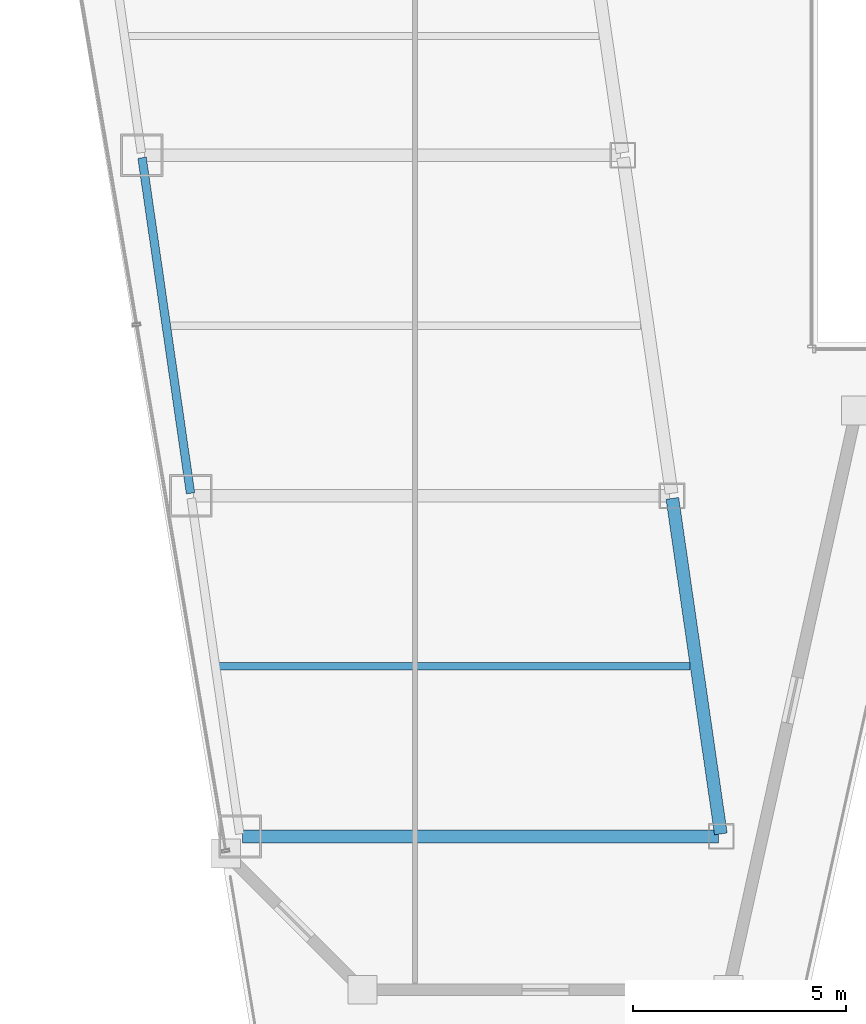
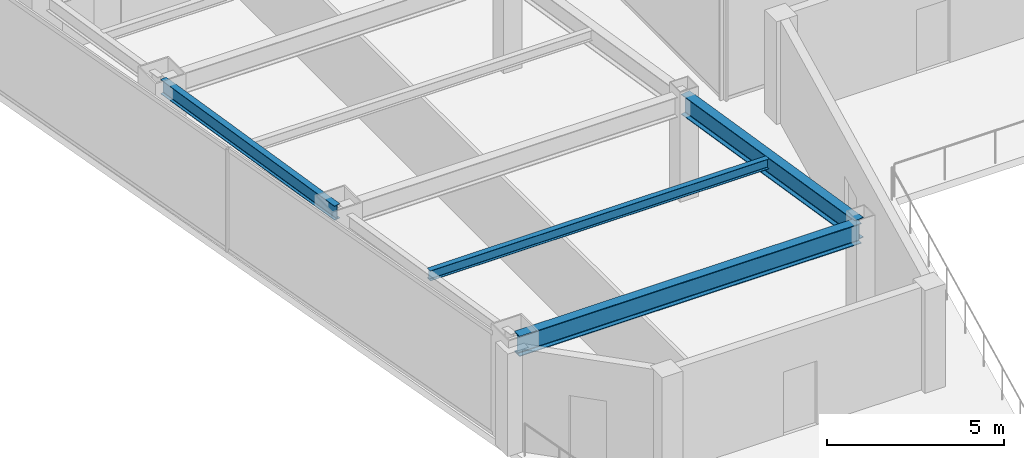
# One storey, part 3 of 31: 4 beams.
"""IFC4 building model written with IfcOpenShell, lengths in metres."""

from ifc_helpers import new_model, si_unit, direction, frame, origin, origin_2d, place, context, subcontext, project, spatial, i_section, extrude, material, material_profile, profile_set, type_object, element, save


model = new_model("IFC4")

# Units and contexts
model_context = context("Model", 3, precision=1e-05, world=origin(), true_north=direction((0.0, 1.0)))
body_context = subcontext(model_context, "Body", "Model", "MODEL_VIEW")
ifc_project = project(units=[si_unit("LENGTHUNIT", "METRE"), si_unit("AREAUNIT", "SQUARE_METRE"), si_unit("VOLUMEUNIT", "CUBIC_METRE"), si_unit("PLANEANGLEUNIT", "RADIAN"), si_unit("MASSUNIT", "GRAM", prefix="KILO")], contexts=[model_context])

# Site, building, storey
site_placement = place(None, origin())
site = spatial("IfcSite", under=ifc_project, at=site_placement, CompositionType="ELEMENT")
building_placement = place(site_placement, origin())
building = spatial("IfcBuilding", under=site, at=building_placement, Name="Saevonmaru Cultural Tower", CompositionType="ELEMENT")
storey_placement = place(building_placement, frame((0.0, 0.0, 167.60009765625)))
storey = spatial("IfcBuildingStorey", under=building, at=storey_placement, Name="L37", CompositionType="ELEMENT", Elevation=167.60009765625)

# Beams
ifc_material = material(Name="Steel SM355", Category="steel")
ifc_material_profile_1 = material_profile(ifc_material, i_section(OverallWidth=0.300048828125, OverallDepth=0.699951171875, WebThickness=0.012939453125, FlangeThickness=0.02392578125, FilletRadius=0.02587890625, at=origin_2d()), Name="H-700x300x13x24")
ifc_profile_set_1 = profile_set([ifc_material_profile_1], Name="Steel SM355")
beam_type_1 = type_object("IfcBeamType", Name="BM-G-H700", PredefinedType="BEAM", material=ifc_profile_set_1)
beam_1_placement = place(storey_placement, frame((21.91943359375, 16.059326171875, 3.199951171875), z_axis=(-0.143022161059, 0.989719486241, 0.0), x_axis=(-0.989719486241, -0.143022161059, 0.0)))
element("IfcBeam", 1, at=beam_1_placement, inside=storey, type_object=beam_type_1, Name="L37 West Atrium Girder 1", PredefinedType="BEAM", context=body_context, shape_type="SweptSolid", body=[
    extrude(i_section(OverallWidth=0.300048828125, OverallDepth=0.699951171875, WebThickness=0.012939453125, FlangeThickness=0.02392578125, FilletRadius=0.02587890625, at=origin_2d()), origin(), (0.0, 0.0, 1.0), 7.963134765625),
])
beam_2_placement = place(storey_placement, frame((10.68798828125, 16.0, 3.199951171875), z_axis=(1.0, 0.0, 0.0), x_axis=(0.0, 1.0, 0.0)))
element("IfcBeam", 2, at=beam_2_placement, inside=storey, type_object=beam_type_1, Name="L37 West Wing Transverse Girder 1", PredefinedType="BEAM", context=body_context, shape_type="SweptSolid", body=[
    extrude(i_section(OverallWidth=0.300048828125, OverallDepth=0.699951171875, WebThickness=0.012939453125, FlangeThickness=0.02392578125, FilletRadius=0.02587890625, at=origin_2d()), origin(), (0.0, 0.0, 1.0), 11.179931640625),
])
ifc_material_profile_2 = material_profile(ifc_material, i_section(OverallWidth=0.175048828125, OverallDepth=0.35009765625, WebThickness=0.007080078125, FlangeThickness=0.010986328125, FilletRadius=0.012939453125, at=origin_2d()), Name="H-350x175x7x11")
ifc_profile_set_2 = profile_set([ifc_material_profile_2], Name="Steel SM355")
beam_type_2 = type_object("IfcBeamType", Name="BM-J-H350", PredefinedType="JOIST", material=ifc_profile_set_2)
beam_3_placement = place(storey_placement, frame((10.110107421875, 20.0, 3.375), z_axis=(1.0, 0.0, 0.0), x_axis=(0.0, 1.0, 0.0)))
element("IfcBeam", 3, at=beam_3_placement, inside=storey, type_object=beam_type_2, Name="L37 West Wing Floor Joist 1", PredefinedType="JOIST", context=body_context, shape_type="SweptSolid", body=[
    extrude(i_section(OverallWidth=0.175048828125, OverallDepth=0.35009765625, WebThickness=0.007080078125, FlangeThickness=0.010986328125, FilletRadius=0.012939453125, at=origin_2d()), origin(), (0.0, 0.0, 1.0), 11.081787109375),
])
ifc_material_profile_3 = material_profile(ifc_material, i_section(OverallWidth=0.199951171875, OverallDepth=0.5, WebThickness=0.010009765625, FlangeThickness=0.01611328125, FilletRadius=0.02001953125, at=origin_2d()), Name="H-500x200x10x16")
ifc_profile_set_3 = profile_set([ifc_material_profile_3], Name="Steel SM355")
beam_type_3 = type_object("IfcBeamType", Name="BM-SP-H500", PredefinedType="SPANDREL", material=ifc_profile_set_3)
beam_4_placement = place(storey_placement, frame((9.46337890625, 24.059326171875, 3.2998046875), z_axis=(-0.142871999001, 0.989741174197, 0.0), x_axis=(-0.989741174197, -0.142871999001, 0.0)))
element("IfcBeam", 4, at=beam_4_placement, inside=storey, type_object=beam_type_3, Name="L37 West Splayed Spandrel 2", PredefinedType="SPANDREL", context=body_context, shape_type="SweptSolid", body=[
    extrude(i_section(OverallWidth=0.199951171875, OverallDepth=0.5, WebThickness=0.010009765625, FlangeThickness=0.01611328125, FilletRadius=0.02001953125, at=origin_2d()), origin(), (0.0, 0.0, 1.0), 7.963134765625),
])

save(model, "model.ifc")
